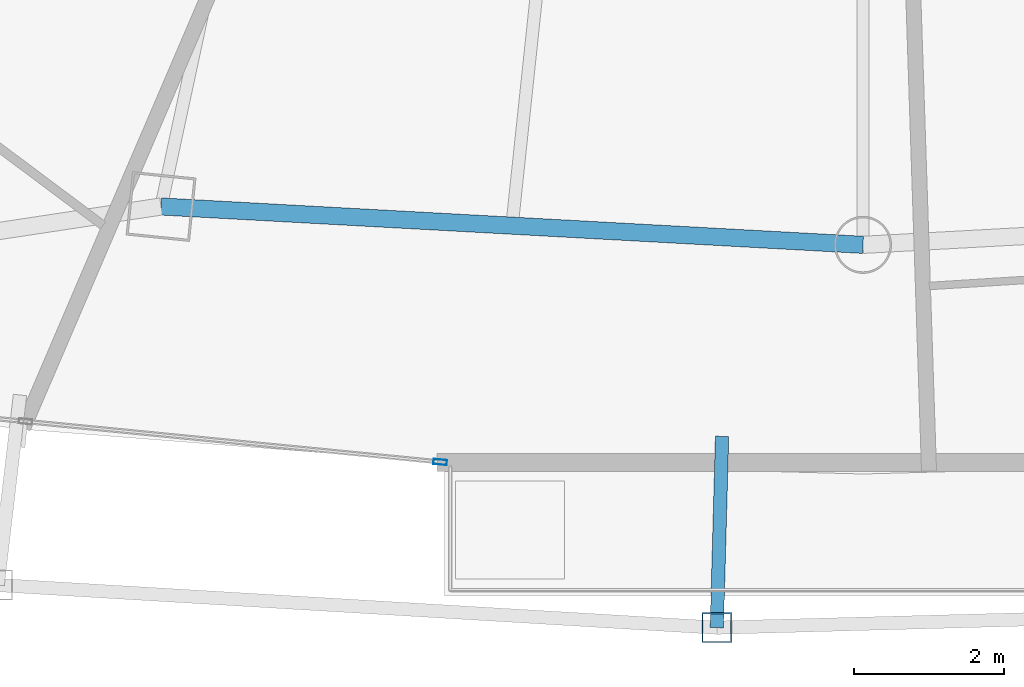
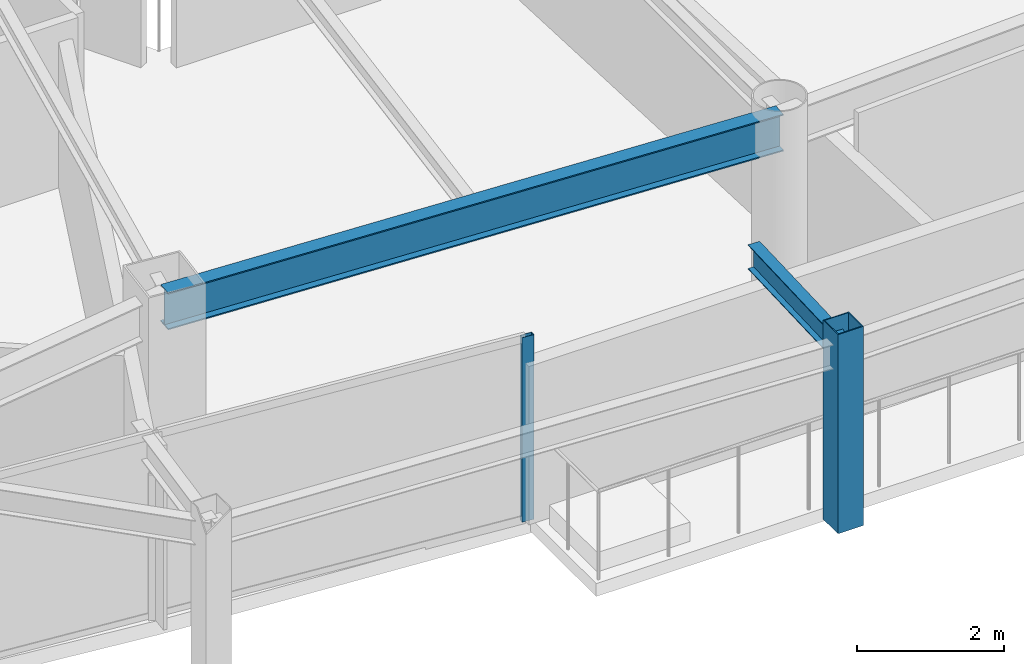
# One storey, part 7 of 29: 2 beams, 2 members, 1 element without a shape of its own.
"""IFC4 building model written with IfcOpenShell, lengths in metres."""

from ifc_helpers import new_model, si_unit, direction, frame, origin, origin_2d, place, context, subcontext, project, spatial, hollow_rectangle, i_section, extrude, material, layer, layer_set, material_profile, profile_set, type_object, element, aggregate, save


model = new_model("IFC4")

# Units and contexts
model_context = context("Model", 3, precision=1e-05, world=origin(), true_north=direction((0.0, 1.0)))
body_context = subcontext(model_context, "Body", "Model", "MODEL_VIEW")
ifc_project = project(units=[si_unit("LENGTHUNIT", "METRE"), si_unit("AREAUNIT", "SQUARE_METRE"), si_unit("VOLUMEUNIT", "CUBIC_METRE"), si_unit("PLANEANGLEUNIT", "RADIAN"), si_unit("MASSUNIT", "GRAM", prefix="KILO")], contexts=[model_context])

# Site, building, storey
site_placement = place(None, origin())
site = spatial("IfcSite", under=ifc_project, at=site_placement, CompositionType="ELEMENT")
building_placement = place(site_placement, origin())
building = spatial("IfcBuilding", under=site, at=building_placement, Name="Orvanel Arch Residences", CompositionType="ELEMENT")
storey_placement = place(building_placement, frame((0.0, 0.0, 170.449951171875)))
storey = spatial("IfcBuildingStorey", under=building, at=storey_placement, Name="L48", CompositionType="ELEMENT", Elevation=170.449951171875)

# Curtain wall, member
ifc_material_1 = material(Name="Bronze-anodised aluminium AA6063-T6", Category="aluminium")
ifc_layer = layer(ifc_material_1, 0.179931640625)
ifc_layer_set = layer_set([ifc_layer], Name="Bronze-anodised aluminium AA6063-T6")
curtain_wall_type = type_object("IfcCurtainWallType", Name="CW3-MID-SYS", PredefinedType="NOTDEFINED", material=ifc_layer_set)
curtain_wall_placement = place(storey_placement, origin())
curtain_wall = element("IfcCurtainWall", 1, at=curtain_wall_placement, inside=storey, type_object=curtain_wall_type, Name="L48 CW3-MID-SYS Unitised Curtain Wall", PredefinedType="NOTDEFINED")
ifc_material_profile_1 = material_profile(ifc_material_1, hollow_rectangle(XDim=0.070068359375, YDim=0.179931640625, WallThickness=0.00439453125, at=origin_2d()), Name="ALU180x70x4.5")
ifc_profile_set_1 = profile_set([ifc_material_profile_1], Name="Bronze-anodised aluminium AA6063-T6")
member_type_1 = type_object("IfcMemberType", Name="MUL-180x70", PredefinedType="MULLION", material=ifc_profile_set_1)
member_1_placement = place(storey_placement, frame((27.3671875, 3.950439453125, 0.0), z_axis=(0.0, 0.0, 1.0), x_axis=(0.097491445455, 0.995236362912, 0.0)))
member_1 = element("IfcMember", 2, at=member_1_placement, type_object=member_type_1, Name="CW-S3 mullion 3", PredefinedType="MULLION", context=body_context, shape_type="SweptSolid", body=[
    extrude(hollow_rectangle(XDim=0.070068359375, YDim=0.179931640625, WallThickness=0.00439453125, at=origin_2d()), origin(), (0.0, 0.0, 1.0), 3.06005859375),
])
aggregate(curtain_wall, [member_1])

# Beams
ifc_material_2 = material(Name="Structural steel AS/NZS 3679.1 Grade 300 (300 MPa)", Category="steel")
ifc_material_profile_2 = material_profile(ifc_material_2, i_section(OverallWidth=0.177978515625, OverallDepth=0.406005859375, WebThickness=0.0078125, FlangeThickness=0.0126953125, at=origin_2d()), Name="410UB59.7")
ifc_profile_set_2 = profile_set([ifc_material_profile_2], Name="Structural steel AS/NZS 3679.1 Grade 300 (300 MPa)")
beam_type_1 = type_object("IfcBeamType", Name="OB-410UB-EXT", PredefinedType="SPANDREL", material=ifc_profile_set_2)
beam_1_placement = place(storey_placement, frame((31.123046875, 4.29296875, 2.85693359375), z_axis=(-0.027477409816, -0.999622424693, 0.0), x_axis=(0.999622424693, -0.027477409816, 0.0)))
element("IfcBeam", 3, at=beam_1_placement, inside=storey, type_object=beam_type_1, Name="L48 Outer Frame Radial Tie Beam 06", PredefinedType="SPANDREL", context=body_context, shape_type="SweptSolid", body=[
    extrude(i_section(OverallWidth=0.177978515625, OverallDepth=0.406005859375, WebThickness=0.0078125, FlangeThickness=0.0126953125, at=origin_2d()), origin(), (0.0, 0.0, 1.0), 2.550048828125),
])
ifc_material_profile_3 = material_profile(ifc_material_2, i_section(OverallWidth=0.22900390625, OverallDepth=0.612060546875, WebThickness=0.011962890625, FlangeThickness=0.01953125, at=origin_2d()), Name="610UB125")
ifc_profile_set_3 = profile_set([ifc_material_profile_3], Name="Structural steel AS/NZS 3679.1 Grade 300 (300 MPa)")
beam_type_2 = type_object("IfcBeamType", Name="SP-610UB", PredefinedType="SPANDREL", material=ifc_profile_set_3)
beam_2_placement = place(storey_placement, frame((23.64892578125, 7.35498046875, 2.754150390625), z_axis=(0.998510315598, -0.054563262768, 0.0), x_axis=(0.054563262768, 0.998510315598, 0.0)))
element("IfcBeam", 4, at=beam_2_placement, inside=storey, type_object=beam_type_2, Name="L48 Perimeter Spandrel Beam 05", PredefinedType="SPANDREL", context=body_context, shape_type="SweptSolid", body=[
    extrude(i_section(OverallWidth=0.22900390625, OverallDepth=0.612060546875, WebThickness=0.011962890625, FlangeThickness=0.01953125, at=origin_2d()), origin(), (0.0, 0.0, 1.0), 9.364990234375),
])

# Member
ifc_material_3 = material(Name="Structural steel AS/NZS 1163 C450L0 (Grade 450)", Category="steel")
ifc_material_profile_4 = material_profile(ifc_material_3, hollow_rectangle(XDim=0.39990234375, YDim=0.39990234375, WallThickness=0.01611328125, at=origin_2d()), Name="SHS400x400x16")
ifc_profile_set_4 = profile_set([ifc_material_profile_4], Name="Structural steel AS/NZS 1163 C450L0 (Grade 450)")
member_type_2 = type_object("IfcMemberType", Name="ST-400SHS-EXT", PredefinedType="STRUT", material=ifc_profile_set_4)
member_2_placement = place(storey_placement, frame((31.052978515625, 1.743896484375, 0.0), z_axis=(0.0, 0.0, 1.0), x_axis=(1.0, 0.0, 0.0)))
element("IfcMember", 5, at=member_2_placement, inside=storey, type_object=member_type_2, Name="L48 Outer Perimeter Frame Post 06", PredefinedType="STRUT", context=body_context, shape_type="SweptSolid", body=[
    extrude(hollow_rectangle(XDim=0.39990234375, YDim=0.39990234375, WallThickness=0.01611328125, at=origin_2d()), origin(), (0.0, 0.0, 1.0), 3.300048828125),
])

save(model, "model.ifc")
